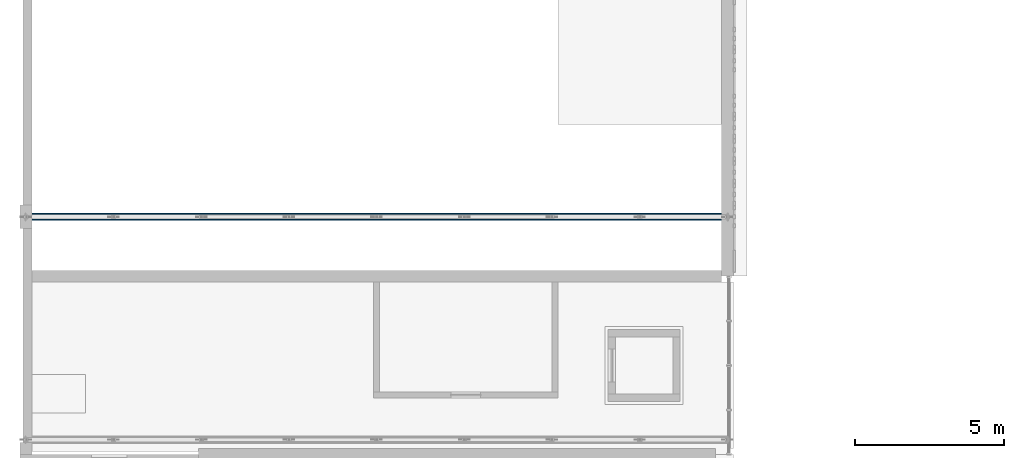
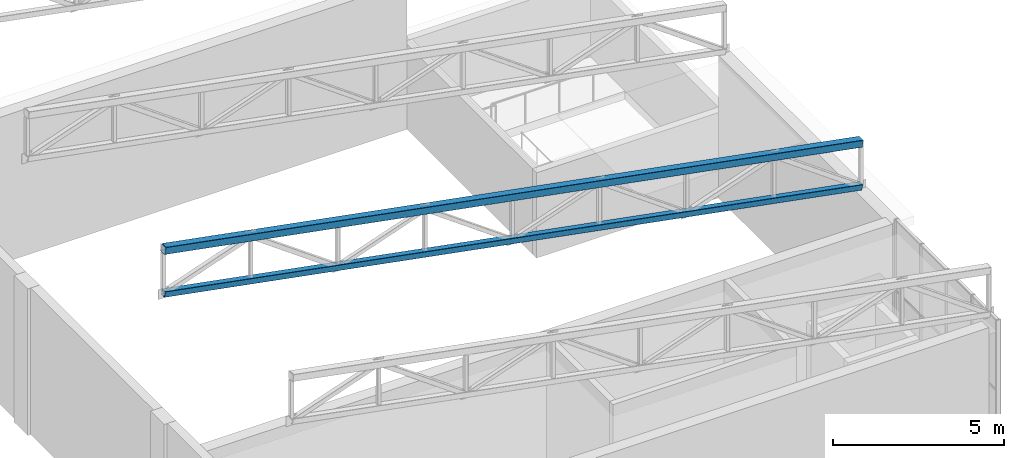
# One storey, part 13 of 125: 2 members.
"""IFC4 building model written with IfcOpenShell, lengths in metres."""

from ifc_helpers import new_model, si_unit, direction, frame, origin, origin_2d, place, context, subcontext, project, spatial, hollow_rectangle, extrude, material, material_profile, profile_set, type_object, element, save


model = new_model("IFC4")

# Units and contexts
model_context = context("Model", 3, precision=1e-05, world=origin(), true_north=direction((0.0, 1.0)))
body_context = subcontext(model_context, "Body", "Model", "MODEL_VIEW")
ifc_project = project(units=[si_unit("LENGTHUNIT", "METRE"), si_unit("AREAUNIT", "SQUARE_METRE"), si_unit("VOLUMEUNIT", "CUBIC_METRE"), si_unit("PLANEANGLEUNIT", "RADIAN"), si_unit("MASSUNIT", "GRAM", prefix="KILO")], contexts=[model_context])

# Site, building, storey
site_placement = place(None, origin())
site = spatial("IfcSite", under=ifc_project, at=site_placement, CompositionType="ELEMENT")
building_placement = place(site_placement, origin())
building = spatial("IfcBuilding", under=site, at=building_placement, Name="Sun Court Science Centre", CompositionType="ELEMENT")
storey_placement = place(building_placement, frame((0.0, 0.0, 6.0)))
storey = spatial("IfcBuildingStorey", under=building, at=storey_placement, Name="L01", CompositionType="ELEMENT", Elevation=6.0)

# Members
ifc_material_1 = material(Name="Steel S355", Category="steel")
ifc_material_profile_1 = material_profile(ifc_material_1, hollow_rectangle(XDim=0.199951171875, YDim=0.199951171875, WallThickness=0.010009765625, InnerFilletRadius=0.010009765625, OuterFilletRadius=0.014892578125, at=origin_2d()), Name="SHS 200x200x10")
ifc_profile_set_1 = profile_set([ifc_material_profile_1], Name="Steel S355")
member_type_1 = type_object("IfcMemberType", Name="Truss bottom chord SHS 200x200x10", PredefinedType="CHORD", material=ifc_profile_set_1)
member_1_placement = place(storey_placement, frame((0.199951171875, 56.0, 9.342529296875), z_axis=(0.982871956721, 0.0, -0.184289762849), x_axis=(0.0, 1.0, 0.0)))
element("IfcMember", 1, at=member_1_placement, inside=storey, type_object=member_type_1, Name="Roof truss 2 bottom chord", PredefinedType="CHORD", context=body_context, shape_type="SweptSolid", body=[
    extrude(hollow_rectangle(XDim=0.199951171875, YDim=0.199951171875, WallThickness=0.010009765625, InnerFilletRadius=0.010009765625, OuterFilletRadius=0.014892578125, at=origin_2d()), origin(), (0.0, 0.0, 1.0), 24.011474609375),
])
ifc_material_2 = material(Name="Steel S355", Category="steel")
ifc_material_profile_2 = material_profile(ifc_material_2, hollow_rectangle(XDim=0.25, YDim=0.25, WallThickness=0.010009765625, InnerFilletRadius=0.010009765625, OuterFilletRadius=0.014892578125, at=origin_2d()), Name="SHS 250x250x10")
ifc_profile_set_2 = profile_set([ifc_material_profile_2], Name="Steel S355")
member_type_2 = type_object("IfcMemberType", Name="Truss top chord SHS 250x250x10", PredefinedType="CHORD", material=ifc_profile_set_2)
member_2_placement = place(storey_placement, frame((0.199951171875, 56.0, 10.91748046875), z_axis=(0.982871956721, 0.0, -0.184289762849), x_axis=(0.0, 1.0, 0.0)))
element("IfcMember", 2, at=member_2_placement, inside=storey, type_object=member_type_2, Name="Roof truss 2 top chord", PredefinedType="CHORD", context=body_context, shape_type="SweptSolid", body=[
    extrude(hollow_rectangle(XDim=0.25, YDim=0.25, WallThickness=0.010009765625, InnerFilletRadius=0.010009765625, OuterFilletRadius=0.014892578125, at=origin_2d()), origin(), (0.0, 0.0, 1.0), 24.011474609375),
])

save(model, "model.ifc")
